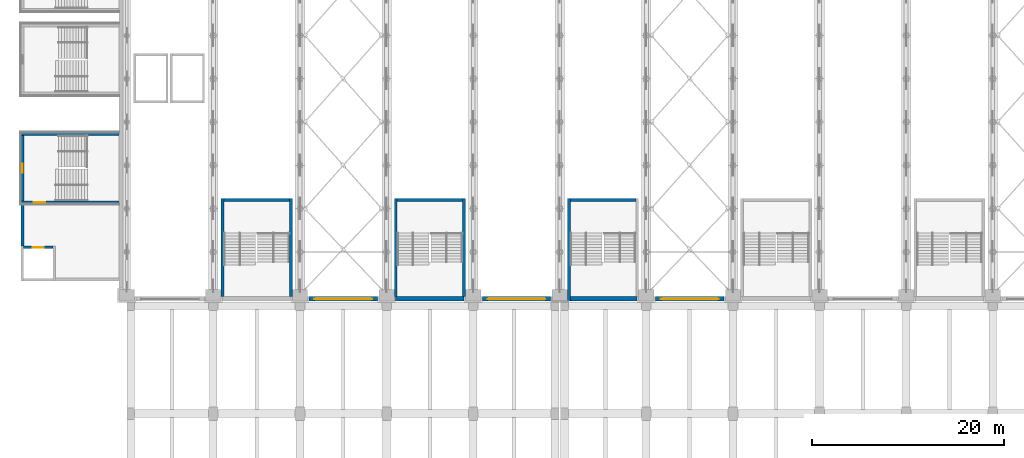
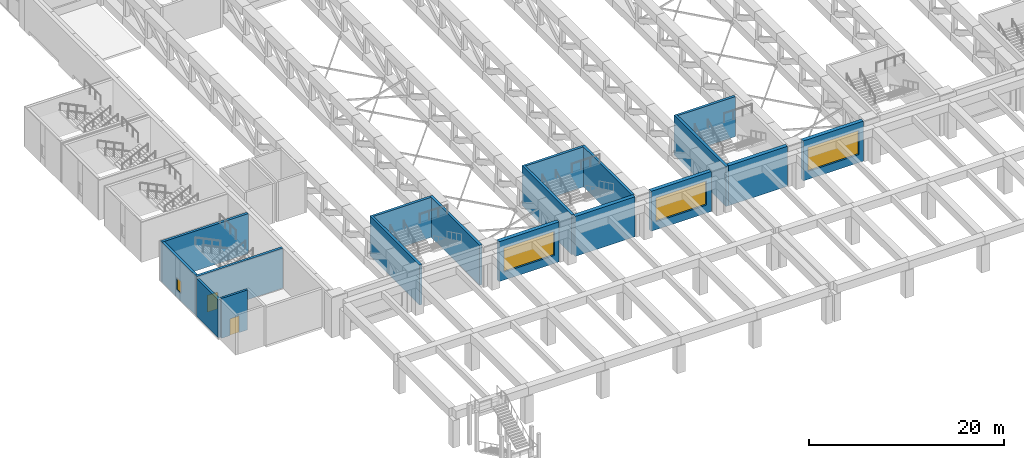
# One storey, part 32 of 76: 18 walls, 4 windows, 2 doors, 6 openings.
"""IFC4 building model written with IfcOpenShell, lengths in metres."""

from ifc_helpers import new_model, si_unit, direction, frame, frame_2d, origin, place, context, subcontext, project, spatial, rectangle, extrude, material, layer, layer_set, type_object, element, fill, save


model = new_model("IFC4")

# Units and contexts
model_context = context("Model", 3, precision=1e-05, world=origin(), true_north=direction((0.0, 1.0)))
body_context = subcontext(model_context, "Body", "Model", "MODEL_VIEW")
ifc_project = project(units=[si_unit("LENGTHUNIT", "METRE"), si_unit("AREAUNIT", "SQUARE_METRE"), si_unit("VOLUMEUNIT", "CUBIC_METRE"), si_unit("PLANEANGLEUNIT", "RADIAN"), si_unit("MASSUNIT", "GRAM", prefix="KILO")], contexts=[model_context])

# Site, building, storey
site_placement = place(None, origin())
site = spatial("IfcSite", under=ifc_project, at=site_placement, CompositionType="ELEMENT")
building_placement = place(site_placement, origin())
building = spatial("IfcBuilding", under=site, at=building_placement, Name="Aravalli Gate Trade Fair Centre", CompositionType="ELEMENT")
storey_placement = place(building_placement, frame((0.0, 0.0, 10.0)))
storey = spatial("IfcBuildingStorey", under=building, at=storey_placement, Name="L02", CompositionType="ELEMENT", Elevation=10.0)

# Wall
ifc_material_1 = material(Name="Concrete M40", Category="concrete")
ifc_layer_1 = layer(ifc_material_1, 0.300048828125)
ifc_layer_set_1 = layer_set([ifc_layer_1], Name="Concrete M40")
wall_type_1 = type_object("IfcWallType", Name="Firefighting block wall RC 300", PredefinedType="SHEAR", material=ifc_layer_set_1)
wall_1_placement = place(storey_placement, frame((-4.85009765625, 51.10009765625, 0.0), z_axis=(0.0, 0.0, 1.0), x_axis=(0.0, 1.0, 0.0)))
element("IfcWall", 1, at=wall_1_placement, inside=storey, type_object=wall_type_1, Name="Firefighting lobby west wall L02", PredefinedType="SHEAR", context=body_context, shape_type="SweptSolid", body=[
    extrude(rectangle(XDim=4.39990234375, YDim=0.300048828125, at=frame_2d((2.199951171875, 0.0))), origin(), (0.0, 0.0, 1.0), 4.75),
])

# Wall, opening, door
ifc_layer_2 = layer(ifc_material_1, 0.25)
ifc_layer_set_2 = layer_set([ifc_layer_2], Name="Concrete M40")
wall_type_2 = type_object("IfcWallType", Name="Firefighting shaft wall RC 250", PredefinedType="SHEAR", material=ifc_layer_set_2)
wall_2_placement = place(storey_placement, frame((-4.75, 50.97509765625, 0.0), z_axis=(0.0, 0.0, 1.0), x_axis=(1.0, 0.0, 0.0)))
wall_2 = element("IfcWall", 2, at=wall_2_placement, inside=storey, type_object=wall_type_2, Name="Firefighting lift shaft wall F L02", PredefinedType="SHEAR", context=body_context, shape_type="SweptSolid", body=[
    extrude(rectangle(XDim=3.10009765625, YDim=0.25, at=frame_2d((1.550048828125, 0.0))), origin(), (0.0, 0.0, 1.0), 5.0),
])
opening_1_placement = place(wall_2_placement, frame((1.0, 0.0, 0.0)))
opening_1 = element("IfcOpeningElement", 3, at=opening_1_placement, cuts=wall_2, Name="Opening H-L02-11", PredefinedType="OPENING", context=body_context, shape_type="SweptSolid", body=[
    extrude(rectangle(XDim=1.10009765625, YDim=2.10009765625, at=frame_2d((0.550048828125, 1.050048828125))), frame((0.0, 0.135009765625, 0.0), z_axis=(0.0, -1.0, 0.0), x_axis=(1.0, 0.0, 0.0)), (0.0, 0.0, 1.0), 0.27001953125),
])
ifc_material_2 = material(Name="Steel", Category="steel")
door_type_1 = type_object("IfcDoorType", Name="Firefighting lift landing door", OperationType="SLIDING_TO_LEFT", PredefinedType="DOOR", material=ifc_material_2)
door_1_placement = place(opening_1_placement, origin())
door_1 = element("IfcDoor", 4, at=door_1_placement, inside=storey, type_object=door_type_1, Name="Firefighting lift landing door L02", OperationType="SLIDING_TO_LEFT", OverallHeight=2.10009765625, OverallWidth=1.10009765625, PredefinedType="DOOR", context=body_context, shape_type="SweptSolid", body=[
    extrude(rectangle(XDim=1.10009765625, YDim=2.10009765625, at=frame_2d((0.550048828125, 1.050048828125))), frame((0.0, 0.02490234375, 0.0), z_axis=(0.0, -1.0, 0.0), x_axis=(1.0, 0.0, 0.0)), (0.0, 0.0, 1.0), 0.050048828125),
])
fill(opening_1, door_1)

# Wall, opening, window
ifc_layer_3 = layer(ifc_material_1, 0.25, Name="Structural wall")
ifc_material_3 = material(Name="Ventilated air cavity")
ifc_layer_4 = layer(ifc_material_3, 0.10009765625, ventilated=True, Name="Ventilated cavity")
ifc_material_4 = material(Name="Terracotta rainscreen", Category="masonry")
ifc_layer_5 = layer(ifc_material_4, 0.10009765625, Name="Rainscreen cladding")
ifc_layer_set_3 = layer_set([ifc_layer_3, ifc_layer_4, ifc_layer_5], Name="Hall external wall 450")
wall_type_3 = type_object("IfcWallType", Name="Hall external wall 450", PredefinedType="SOLIDWALL", material=ifc_layer_set_3)
wall_3_placement = place(storey_placement, frame((24.949951171875, 45.625, 0.0), z_axis=(0.0, 0.0, 1.0), x_axis=(1.0, 0.0, 0.0)))
wall_3 = element("IfcWall", 5, at=wall_3_placement, inside=storey, type_object=wall_type_3, Name="Hall south wall bay 3 L02", PredefinedType="SOLIDWALL", context=body_context, shape_type="SweptSolid", body=[
    extrude(rectangle(XDim=7.10009765625, YDim=0.449951171875, at=frame_2d((3.550048828125, 0.0))), origin(), (0.0, 0.0, 1.0), 5.0),
])
opening_2_placement = place(wall_3_placement, frame((0.550048828125, 0.0, 1.0)))
opening_2 = element("IfcOpeningElement", 6, at=opening_2_placement, cuts=wall_3, Name="Opening LV1", PredefinedType="OPENING", context=body_context, shape_type="SweptSolid", body=[
    extrude(rectangle(XDim=6.0, YDim=3.0, at=frame_2d((3.0, 1.5))), frame((0.0, 0.23486328125, 0.0), z_axis=(0.0, -1.0, 0.0), x_axis=(1.0, 0.0, 0.0)), (0.0, 0.0, 1.0), 0.469970703125),
])
ifc_material_5 = material(Name="Aluminium", Category="aluminium")
window_type_1 = type_object("IfcWindowType", Name="Hall louvre 6000x3000", PartitioningType="SINGLE_PANEL", PredefinedType="USERDEFINED", material=ifc_material_5)
window_1_placement = place(opening_2_placement, origin())
window_1 = element("IfcWindow", 7, at=window_1_placement, inside=storey, type_object=window_type_1, Name="Hall south louvre bay 3 L02", ObjectType="LOUVRE", OverallHeight=3.0, OverallWidth=6.0, PartitioningType="SINGLE_PANEL", PredefinedType="USERDEFINED", context=body_context, shape_type="SweptSolid", body=[
    extrude(rectangle(XDim=6.0, YDim=3.0, at=frame_2d((3.0, 1.5))), frame((0.0, 0.030029296875, 0.0), z_axis=(0.0, -1.0, 0.0), x_axis=(1.0, 0.0, 0.0)), (0.0, 0.0, 1.0), 0.06005859375),
])
fill(opening_2, window_1)

# Wall
wall_4_placement = place(storey_placement, frame((33.949951171875, 45.625, 0.0), z_axis=(0.0, 0.0, 1.0), x_axis=(1.0, 0.0, 0.0)))
element("IfcWall", 8, at=wall_4_placement, inside=storey, type_object=wall_type_3, Name="Hall south wall bay 4 L02", PredefinedType="SOLIDWALL", context=body_context, shape_type="SweptSolid", body=[
    extrude(rectangle(XDim=7.10009765625, YDim=0.449951171875, at=frame_2d((3.550048828125, 0.0))), origin(), (0.0, 0.0, 1.0), 5.0),
])

# Wall, opening, window
wall_5_placement = place(storey_placement, frame((42.949951171875, 45.625, 0.0), z_axis=(0.0, 0.0, 1.0), x_axis=(1.0, 0.0, 0.0)))
wall_5 = element("IfcWall", 9, at=wall_5_placement, inside=storey, type_object=wall_type_3, Name="Hall south wall bay 5 L02", PredefinedType="SOLIDWALL", context=body_context, shape_type="SweptSolid", body=[
    extrude(rectangle(XDim=7.10009765625, YDim=0.449951171875, at=frame_2d((3.550048828125, 0.0))), origin(), (0.0, 0.0, 1.0), 5.0),
])
opening_3_placement = place(wall_5_placement, frame((0.550048828125, 0.0, 1.0)))
opening_3 = element("IfcOpeningElement", 10, at=opening_3_placement, cuts=wall_5, Name="Opening LV1", PredefinedType="OPENING", context=body_context, shape_type="SweptSolid", body=[
    extrude(rectangle(XDim=6.0, YDim=3.0, at=frame_2d((3.0, 1.5))), frame((0.0, 0.23486328125, 0.0), z_axis=(0.0, -1.0, 0.0), x_axis=(1.0, 0.0, 0.0)), (0.0, 0.0, 1.0), 0.469970703125),
])
window_2_placement = place(opening_3_placement, origin())
window_2 = element("IfcWindow", 11, at=window_2_placement, inside=storey, type_object=window_type_1, Name="Hall south louvre bay 5 L02", ObjectType="LOUVRE", OverallHeight=3.0, OverallWidth=6.0, PartitioningType="SINGLE_PANEL", PredefinedType="USERDEFINED", context=body_context, shape_type="SweptSolid", body=[
    extrude(rectangle(XDim=6.0, YDim=3.0, at=frame_2d((3.0, 1.5))), frame((0.0, 0.030029296875, 0.0), z_axis=(0.0, -1.0, 0.0), x_axis=(1.0, 0.0, 0.0)), (0.0, 0.0, 1.0), 0.06005859375),
])
fill(opening_3, window_2)

# Wall
wall_6_placement = place(storey_placement, frame((52.10009765625, 45.625, 0.0), z_axis=(0.0, 0.0, 1.0), x_axis=(1.0, 0.0, 0.0)))
element("IfcWall", 12, at=wall_6_placement, inside=storey, type_object=wall_type_3, Name="Hall south wall bay 6 L02", PredefinedType="SOLIDWALL", context=body_context, shape_type="SweptSolid", body=[
    extrude(rectangle(XDim=6.949951171875, YDim=0.449951171875, at=frame_2d((3.47509765625, 0.0))), origin(), (0.0, 0.0, 1.0), 5.0),
])

# Wall, opening, window
wall_7_placement = place(storey_placement, frame((60.949951171875, 45.625, 0.0), z_axis=(0.0, 0.0, 1.0), x_axis=(1.0, 0.0, 0.0)))
wall_7 = element("IfcWall", 13, at=wall_7_placement, inside=storey, type_object=wall_type_3, Name="Hall south wall bay 7 L02", PredefinedType="SOLIDWALL", context=body_context, shape_type="SweptSolid", body=[
    extrude(rectangle(XDim=7.10009765625, YDim=0.449951171875, at=frame_2d((3.550048828125, 0.0))), origin(), (0.0, 0.0, 1.0), 5.0),
])
opening_4_placement = place(wall_7_placement, frame((0.550048828125, 0.0, 1.0)))
opening_4 = element("IfcOpeningElement", 14, at=opening_4_placement, cuts=wall_7, Name="Opening LV1", PredefinedType="OPENING", context=body_context, shape_type="SweptSolid", body=[
    extrude(rectangle(XDim=6.0, YDim=3.0, at=frame_2d((3.0, 1.5))), frame((0.0, 0.23486328125, 0.0), z_axis=(0.0, -1.0, 0.0), x_axis=(1.0, 0.0, 0.0)), (0.0, 0.0, 1.0), 0.469970703125),
])
window_3_placement = place(opening_4_placement, origin())
window_3 = element("IfcWindow", 15, at=window_3_placement, inside=storey, type_object=window_type_1, Name="Hall south louvre bay 7 L02", ObjectType="LOUVRE", OverallHeight=3.0, OverallWidth=6.0, PartitioningType="SINGLE_PANEL", PredefinedType="USERDEFINED", context=body_context, shape_type="SweptSolid", body=[
    extrude(rectangle(XDim=6.0, YDim=3.0, at=frame_2d((3.0, 1.5))), frame((0.0, 0.030029296875, 0.0), z_axis=(0.0, -1.0, 0.0), x_axis=(1.0, 0.0, 0.0)), (0.0, 0.0, 1.0), 0.06005859375),
])
fill(opening_4, window_3)

# Walls
ifc_layer_6 = layer(ifc_material_1, 0.300048828125)
ifc_layer_set_4 = layer_set([ifc_layer_6], Name="Concrete M40")
wall_type_4 = type_object("IfcWallType", Name="Stair tower wall RC 300", PredefinedType="SHEAR", material=ifc_layer_set_4)
for number, where, z_axis, x_axis, name in (
    (16, (15.949951171875, 45.85009765625, 0.0), (0.0, 0.0, 1.0), (0.0, 1.0, 0.0), "Stair tower S02 wall W L02"),
    (17, (23.050048828125, 45.85009765625, 0.0), (0.0, 0.0, 1.0), (0.0, 1.0, 0.0), "Stair tower S02 wall E L02"),
):
    element("IfcWall", number, at=place(storey_placement, frame(where, z_axis=z_axis, x_axis=x_axis)), inside=storey, type_object=wall_type_4, Name=name, PredefinedType="SHEAR", context=body_context, shape_type="SweptSolid", body=[
        extrude(rectangle(XDim=10.199951171875, YDim=0.300048828125, at=frame_2d((5.10009765625, 0.0))), origin(), (0.0, 0.0, 1.0), 5.0),
    ])
wall_8_placement = place(storey_placement, frame((16.10009765625, 55.89990234375, 0.0), z_axis=(0.0, 0.0, 1.0), x_axis=(1.0, 0.0, 0.0)))
element("IfcWall", 18, at=wall_8_placement, inside=storey, type_object=wall_type_4, Name="Stair tower S02 wall F L02", PredefinedType="SHEAR", context=body_context, shape_type="SweptSolid", body=[
    extrude(rectangle(XDim=6.7998046875, YDim=0.300048828125, at=frame_2d((3.39990234375, 0.0))), origin(), (0.0, 0.0, 1.0), 5.0),
])
for number, where, z_axis, x_axis, name in (
    (19, (33.949951171875, 45.85009765625, 0.0), (0.0, 0.0, 1.0), (0.0, 1.0, 0.0), "Stair tower S04 wall W L02"),
    (20, (41.050048828125, 45.85009765625, 0.0), (0.0, 0.0, 1.0), (0.0, 1.0, 0.0), "Stair tower S04 wall E L02"),
):
    element("IfcWall", number, at=place(storey_placement, frame(where, z_axis=z_axis, x_axis=x_axis)), inside=storey, type_object=wall_type_4, Name=name, PredefinedType="SHEAR", context=body_context, shape_type="SweptSolid", body=[
        extrude(rectangle(XDim=10.199951171875, YDim=0.300048828125, at=frame_2d((5.10009765625, 0.0))), origin(), (0.0, 0.0, 1.0), 5.0),
    ])
wall_9_placement = place(storey_placement, frame((34.10009765625, 55.89990234375, 0.0), z_axis=(0.0, 0.0, 1.0), x_axis=(1.0, 0.0, 0.0)))
element("IfcWall", 21, at=wall_9_placement, inside=storey, type_object=wall_type_4, Name="Stair tower S04 wall F L02", PredefinedType="SHEAR", context=body_context, shape_type="SweptSolid", body=[
    extrude(rectangle(XDim=6.7998046875, YDim=0.300048828125, at=frame_2d((3.39990234375, 0.0))), origin(), (0.0, 0.0, 1.0), 5.0),
])
wall_10_placement = place(storey_placement, frame((51.949951171875, 45.39990234375, 0.0), z_axis=(0.0, 0.0, 1.0), x_axis=(0.0, 1.0, 0.0)))
element("IfcWall", 22, at=wall_10_placement, inside=storey, type_object=wall_type_4, Name="Stair tower S06 wall W L02", PredefinedType="SHEAR", context=body_context, shape_type="SweptSolid", body=[
    extrude(rectangle(XDim=10.650146484375, YDim=0.300048828125, at=frame_2d((5.3251953125, 0.0))), origin(), (0.0, 0.0, 1.0), 5.0),
])
wall_11_placement = place(storey_placement, frame((52.10009765625, 55.89990234375, 0.0), z_axis=(0.0, 0.0, 1.0), x_axis=(1.0, 0.0, 0.0)))
element("IfcWall", 23, at=wall_11_placement, inside=storey, type_object=wall_type_4, Name="Stair tower S06 wall F L02", PredefinedType="SHEAR", context=body_context, shape_type="SweptSolid", body=[
    extrude(rectangle(XDim=6.7998046875, YDim=0.300048828125, at=frame_2d((3.39990234375, 0.0))), origin(), (0.0, 0.0, 1.0), 5.0),
])

# Wall, opening, door
wall_12_placement = place(storey_placement, frame((5.199951171875, 55.64990234375, 0.0), z_axis=(0.0, 0.0, 1.0), x_axis=(-1.0, 0.0, 0.0)))
wall_12 = element("IfcWall", 24, at=wall_12_placement, inside=storey, type_object=wall_type_4, Name="Stair tower W1 wall W L02", PredefinedType="SHEAR", context=body_context, shape_type="SweptSolid", body=[
    extrude(rectangle(XDim=10.199951171875, YDim=0.300048828125, at=frame_2d((5.10009765625, 0.0))), origin(), (0.0, 0.0, 1.0), 5.0),
])
opening_5_placement = place(wall_12_placement, frame((7.64990234375, 0.0, 0.0)))
opening_5 = element("IfcOpeningElement", 25, at=opening_5_placement, cuts=wall_12, Name="Opening H-L02-10", PredefinedType="OPENING", context=body_context, shape_type="SweptSolid", body=[
    extrude(rectangle(XDim=1.199951171875, YDim=2.10009765625, at=frame_2d((0.60009765625, 1.050048828125))), frame((0.0, 0.159912109375, 0.0), z_axis=(0.0, -1.0, 0.0), x_axis=(1.0, 0.0, 0.0)), (0.0, 0.0, 1.0), 0.320068359375),
])
door_type_2 = type_object("IfcDoorType", Name="Firefighting lobby door FD120", OperationType="SINGLE_SWING_LEFT", PredefinedType="DOOR", material=ifc_material_2)
door_2_placement = place(opening_5_placement, frame((1.199951171875, 0.0, 0.0), z_axis=(0.0, 0.0, 1.0), x_axis=(-1.0, 0.0, 0.0)))
door_2 = element("IfcDoor", 26, at=door_2_placement, inside=storey, type_object=door_type_2, Name="Firefighting lobby door L02 stair", OperationType="SINGLE_SWING_LEFT", OverallHeight=2.10009765625, OverallWidth=1.199951171875, PredefinedType="DOOR", context=body_context, shape_type="SweptSolid", body=[
    extrude(rectangle(XDim=1.199951171875, YDim=2.10009765625, at=frame_2d((0.60009765625, 1.050048828125))), frame((0.0, 0.02490234375, 0.0), z_axis=(0.0, -1.0, 0.0), x_axis=(1.0, 0.0, 0.0)), (0.0, 0.0, 1.0), 0.050048828125),
])
fill(opening_5, door_2)

# Wall
wall_13_placement = place(storey_placement, frame((5.199951171875, 62.75, 0.0), z_axis=(0.0, 0.0, 1.0), x_axis=(-1.0, 0.0, 0.0)))
element("IfcWall", 27, at=wall_13_placement, inside=storey, type_object=wall_type_4, Name="Stair tower W1 wall E L02", PredefinedType="SHEAR", context=body_context, shape_type="SweptSolid", body=[
    extrude(rectangle(XDim=10.199951171875, YDim=0.300048828125, at=frame_2d((5.10009765625, 0.0))), origin(), (0.0, 0.0, 1.0), 5.0),
])

# Wall, opening, window
wall_14_placement = place(storey_placement, frame((-4.85009765625, 55.800048828125, 0.0), z_axis=(0.0, 0.0, 1.0), x_axis=(0.0, 1.0, 0.0)))
wall_14 = element("IfcWall", 28, at=wall_14_placement, inside=storey, type_object=wall_type_4, Name="Stair tower W1 wall F L02", PredefinedType="SHEAR", context=body_context, shape_type="SweptSolid", body=[
    extrude(rectangle(XDim=6.800048828125, YDim=0.300048828125, at=frame_2d((3.39990234375, 0.0))), origin(), (0.0, 0.0, 1.0), 5.0),
])
opening_6_placement = place(wall_14_placement, frame((2.949951171875, 0.0, 0.89990234375)))
opening_6 = element("IfcOpeningElement", 29, at=opening_6_placement, cuts=wall_14, Name="Opening LW1", PredefinedType="OPENING", context=body_context, shape_type="SweptSolid", body=[
    extrude(rectangle(XDim=0.89990234375, YDim=1.5, at=frame_2d((0.449951171875, 0.75))), frame((0.0, 0.159912109375, 0.0), z_axis=(0.0, -1.0, 0.0), x_axis=(1.0, 0.0, 0.0)), (0.0, 0.0, 1.0), 0.320068359375),
])
ifc_material_6 = material(Name="Fire-resistant glazing", Category="glass")
window_type_2 = type_object("IfcWindowType", Name="Stair landing window FRG 900x1500", PartitioningType="SINGLE_PANEL", PredefinedType="WINDOW", material=ifc_material_6)
window_4_placement = place(opening_6_placement, origin())
window_4 = element("IfcWindow", 30, at=window_4_placement, inside=storey, type_object=window_type_2, Name="Stair landing window W1 L02", OverallHeight=1.5, OverallWidth=0.89990234375, PartitioningType="SINGLE_PANEL", PredefinedType="WINDOW", context=body_context, shape_type="SweptSolid", body=[
    extrude(rectangle(XDim=0.89990234375, YDim=1.5, at=frame_2d((0.449951171875, 0.75))), frame((0.0, 0.030029296875, 0.0), z_axis=(0.0, -1.0, 0.0), x_axis=(1.0, 0.0, 0.0)), (0.0, 0.0, 1.0), 0.06005859375),
])
fill(opening_6, window_4)

save(model, "model.ifc")
